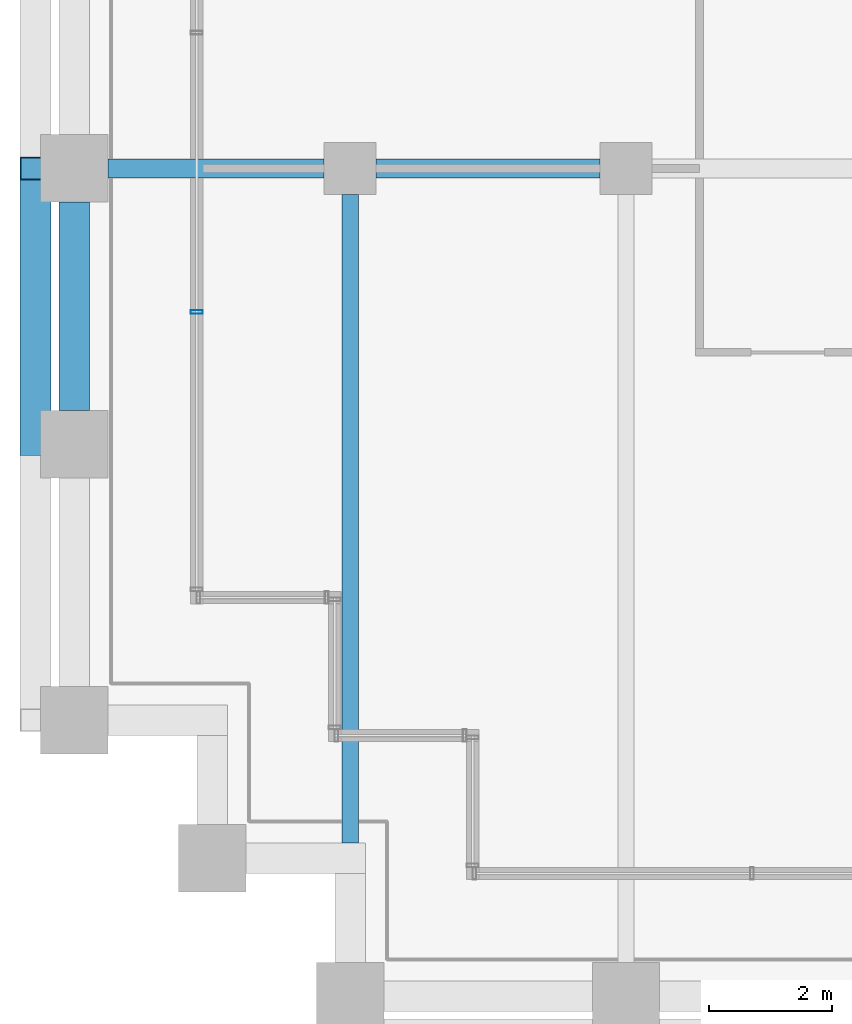
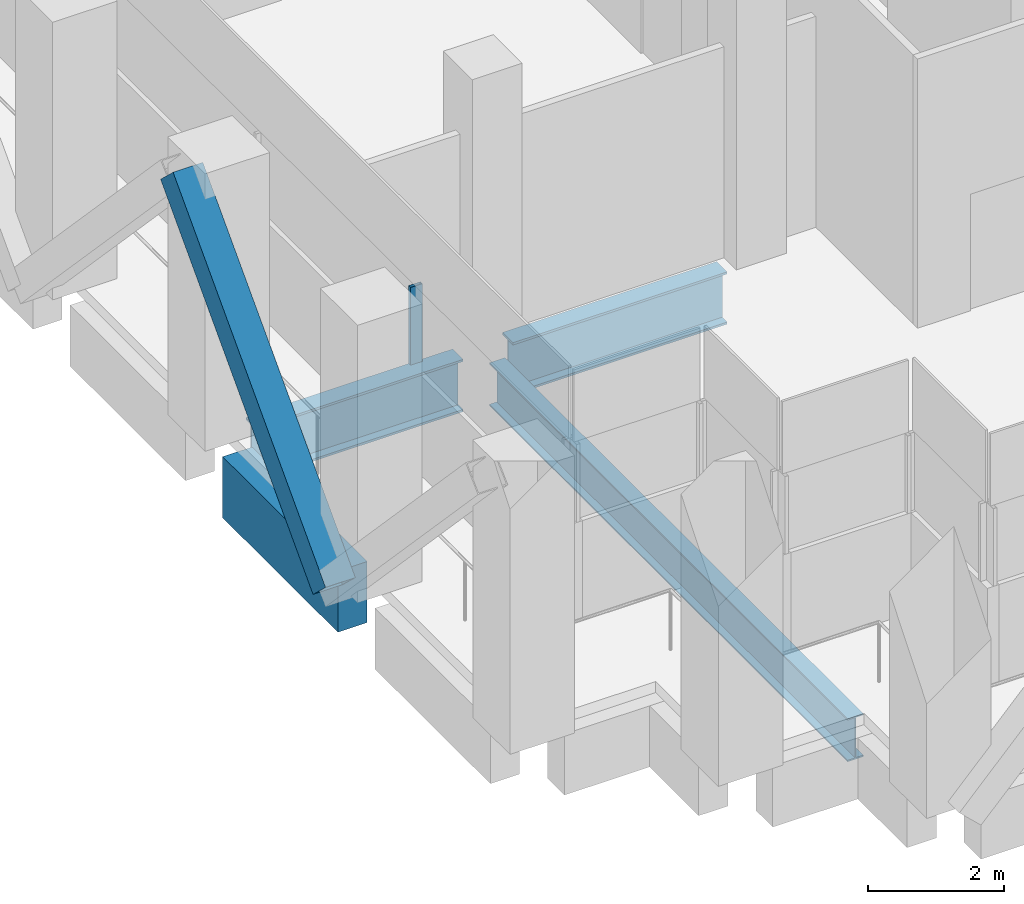
# One storey, part 4 of 44: 4 beams, 2 members, 1 element without a shape of its own.
"""IFC4 building model written with IfcOpenShell, lengths in metres."""

import ifcopenshell
import ifcopenshell.guid

model = None  # the IFC model being written
_history = None  # IfcOwnerHistory: only IFC2X3 demands one
_inside = {}  # id of a spatial element -> (the spatial element, [elements in it])
_under = {}  # id of a project, library or spatial element -> (it, [spatial elements below it])
_declared = {}  # id of a project -> (the project, [libraries it declares])
_typed = {}  # id of a type object -> (the type object, [elements of that type])
_made_of = {}  # id of a material, layer set ... -> (it, [elements and type objects made of it])


def new_model(schema):
    """Start an empty IFC model of exactly this schema.

    Asked for "IFC4X3", IfcOpenShell would pick the latest addendum, in which some entities
    have other attributes; the version numbers below select the first issue.
    IFC2X3 requires an IfcOwnerHistory on every rooted entity: one is made here for all.
    """
    global model, _history
    if schema == "IFC4X3":
        model = ifcopenshell.file(schema_version=(4, 3, 0, 0))
    else:
        model = ifcopenshell.file(schema=schema)
    _inside.clear()
    _under.clear()
    _declared.clear()
    _typed.clear()
    _made_of.clear()
    _history = None
    if model.schema == "IFC2X3":
        org = make("IfcOrganization", Name="unknown")
        user = make(
            "IfcPersonAndOrganization",
            ThePerson=make("IfcPerson", FamilyName="unknown"),
            TheOrganization=org,
        )
        app = make(
            "IfcApplication",
            ApplicationDeveloper=org,
            Version="unknown",
            ApplicationFullName="unknown",
            ApplicationIdentifier="unknown",
        )
        _history = make(
            "IfcOwnerHistory",
            OwningUser=user,
            OwningApplication=app,
            ChangeAction="ADDED",
            CreationDate=0,
        )
    return model


def make(cls, **values):
    """One entity of the class cls with the attributes given. An attribute that is None is left unset."""
    return model.create_entity(
        cls, **{name: value for name, value in values.items() if value is not None}
    )


def rooted(cls, **values):
    """An entity with a GlobalId (a new one), such as an element, a storey or a relation."""
    return make(cls, GlobalId=ifcopenshell.guid.new(), OwnerHistory=_history, **values)


def si_unit(unit_type, name, prefix=None):
    """IfcSIUnit, for example si_unit("LENGTHUNIT", "METRE", prefix="MILLI")."""
    return make("IfcSIUnit", UnitType=unit_type, Prefix=prefix, Name=name)


def assignment(units):
    """IfcUnitAssignment: the units of a project."""
    return None if units is None else make("IfcUnitAssignment", Units=units)


def point(xyz):
    """IfcCartesianPoint."""
    return None if xyz is None else make("IfcCartesianPoint", Coordinates=xyz)


def direction(xyz):
    """IfcDirection."""
    return None if xyz is None else make("IfcDirection", DirectionRatios=xyz)


def frame(location, z_axis=None, x_axis=None):
    """IfcAxis2Placement3D, a coordinate frame: its origin and axes. An axis left out is left unset."""
    return make(
        "IfcAxis2Placement3D",
        Location=point(location),
        Axis=direction(z_axis),
        RefDirection=direction(x_axis),
    )


def frame_2d(location, x_axis=None):
    """IfcAxis2Placement2D, a coordinate frame in the plane: its origin and x axis."""
    return make(
        "IfcAxis2Placement2D", Location=point(location), RefDirection=direction(x_axis)
    )


def origin():
    """The frame at (0, 0, 0) with its axes left unset."""
    return frame((0.0, 0.0, 0.0))


def origin_2d():
    """The frame at (0, 0) in the plane with its x axis left unset."""
    return frame_2d((0.0, 0.0))


def place(relative_to, where):
    """IfcLocalPlacement: puts the frame where relative to a parent placement (None: the world)."""
    return make(
        "IfcLocalPlacement", PlacementRelTo=relative_to, RelativePlacement=where
    )


def context(
    kind, dimensions, precision=None, world=None, true_north=None, identifier=None
):
    """IfcGeometricRepresentationContext, for example the 3D "Model" context."""
    return make(
        "IfcGeometricRepresentationContext",
        ContextIdentifier=identifier,
        ContextType=kind,
        CoordinateSpaceDimension=dimensions,
        Precision=precision,
        WorldCoordinateSystem=world,
        TrueNorth=true_north,
    )


def subcontext(parent, identifier, kind, view, scale=None):
    """IfcGeometricRepresentationSubContext, for example "Body" below "Model"."""
    return make(
        "IfcGeometricRepresentationSubContext",
        ContextIdentifier=identifier,
        ContextType=kind,
        ParentContext=parent,
        TargetScale=scale,
        TargetView=view,
    )


def project(units=None, contexts=None):
    """IfcProject with its units and contexts."""
    return rooted(
        "IfcProject",
        Name="project",
        RepresentationContexts=contexts,
        UnitsInContext=assignment(units),
    )


def spatial(cls, under=None, at=None, **own):
    """A site, building, storey or space (cls), placed at a placement, below another one or the project."""
    s = rooted(cls, ObjectPlacement=at, **own)
    if under is not None:
        _under.setdefault(under.id(), (under, []))[1].append(s)
    return s


def profile(cls, at=None, kind="AREA", **sizes):
    """A parametric profile (cls). Its sizes go by their IFC names, for example OverallWidth=200.0."""
    return make(cls, ProfileType=kind, Position=at, **sizes)


def rectangle(**sizes):
    """IfcRectangleProfileDef."""
    return profile("IfcRectangleProfileDef", **sizes)


def hollow_rectangle(**sizes):
    """IfcRectangleHollowProfileDef."""
    return profile("IfcRectangleHollowProfileDef", **sizes)


def i_section(**sizes):
    """IfcIShapeProfileDef."""
    return profile("IfcIShapeProfileDef", **sizes)


def extrude(swept, where, along, depth):
    """IfcExtrudedAreaSolid: the profile swept, set in the frame where, extruded along a direction by depth."""
    return make(
        "IfcExtrudedAreaSolid",
        SweptArea=swept,
        Position=where,
        ExtrudedDirection=direction(along),
        Depth=depth,
    )


def shape(context_of_items, identifier, shape_type, items):
    """IfcShapeRepresentation: the items that make up one representation, for example the "Body"."""
    return make(
        "IfcShapeRepresentation",
        ContextOfItems=context_of_items,
        RepresentationIdentifier=identifier,
        RepresentationType=shape_type,
        Items=items,
    )


def material(Name=None, Category=None):
    """IfcMaterial."""
    return make("IfcMaterial", Name=Name, Category=Category)


def material_profile(
    of_material, cross_section, Name=None, Category=None, Priority=None
):
    """IfcMaterialProfile: a cross section and its material."""
    return make(
        "IfcMaterialProfile",
        Name=Name,
        Material=of_material,
        Profile=cross_section,
        Priority=Priority,
        Category=Category,
    )


def profile_set(profiles, Name=None, composite=None):
    """IfcMaterialProfileSet."""
    return make(
        "IfcMaterialProfileSet",
        Name=Name,
        MaterialProfiles=profiles,
        CompositeProfile=composite,
    )


def made_of(thing, what):
    """Note that an element or type object is made of a material, layer set ...; save() writes the relation."""
    if what is not None:
        _made_of.setdefault(what.id(), (what, []))[1].append(thing)
    return thing


def type_object(cls, material=None, **own):
    """A type object (cls), such as IfcWallType, which elements share."""
    return made_of(rooted(cls, **own), material)


def element(
    cls,
    number,
    at=None,
    inside=None,
    cuts=None,
    type_object=None,
    material=None,
    context=None,
    identifier="Body",
    shape_type=None,
    held_by="IfcProductDefinitionShape",
    body=None,
    shapes=None,
    **own,
):
    """One element of the class cls, such as IfcWall. Its Tag is "e" and its number.

    at: its placement. inside: the storey or other place that contains it. cuts: it is an
    opening in that element (IfcRelVoidsElement). A single representation is given by context,
    identifier, shape_type and body (its items); several are given by shapes. held_by: the class
    of the entity that holds the representations. save() writes the other relations.
    """
    e = rooted(cls, Tag="e%d" % number, ObjectPlacement=at, **own)
    if body is not None:
        shapes = [shape(context, identifier, shape_type, body)]
    if shapes is not None:
        e.Representation = make(held_by, Representations=shapes)
    if inside is not None:
        _inside.setdefault(inside.id(), (inside, []))[1].append(e)
    if cuts is not None:
        rooted(
            "IfcRelVoidsElement", RelatingBuildingElement=cuts, RelatedOpeningElement=e
        )
    if type_object is not None:
        _typed.setdefault(type_object.id(), (type_object, []))[1].append(e)
    return made_of(e, material)


def aggregate(whole, parts):
    """IfcRelAggregates: a whole, such as a stair, and the parts it consists of."""
    return rooted("IfcRelAggregates", RelatingObject=whole, RelatedObjects=parts)


def save(model, path):
    """Write the relations noted so far, then the file.

    IfcRelAggregates (storeys below a building ...), IfcRelContainedInSpatialStructure (elements
    in a storey), IfcRelDefinesByType, IfcRelAssociatesMaterial and IfcRelDeclares: one each for
    every whole, place, type object, material and project.
    """
    for whole, parts in _under.values():
        aggregate(whole, parts)
    for where, things in _inside.values():
        rooted(
            "IfcRelContainedInSpatialStructure",
            RelatedElements=things,
            RelatingStructure=where,
        )
    for kind, things in _typed.values():
        rooted("IfcRelDefinesByType", RelatedObjects=things, RelatingType=kind)
    for what, things in _made_of.values():
        rooted("IfcRelAssociatesMaterial", RelatedObjects=things, RelatingMaterial=what)
    for by, libraries in _declared.values():
        rooted("IfcRelDeclares", RelatingContext=by, RelatedDefinitions=libraries)
    model.write(path)


model = new_model("IFC4")

# Units and contexts
model_context = context("Model", 3, precision=1e-05, world=origin(), true_north=direction((0.0, 1.0)))
body_context = subcontext(model_context, "Body", "Model", "MODEL_VIEW")
ifc_project = project(units=[si_unit("LENGTHUNIT", "METRE"), si_unit("AREAUNIT", "SQUARE_METRE"), si_unit("VOLUMEUNIT", "CUBIC_METRE"), si_unit("PLANEANGLEUNIT", "RADIAN"), si_unit("MASSUNIT", "GRAM", prefix="KILO")], contexts=[model_context])

# Site, building, storey
site_placement = place(None, origin())
site = spatial("IfcSite", under=ifc_project, at=site_placement, CompositionType="ELEMENT")
building_placement = place(site_placement, origin())
building = spatial("IfcBuilding", under=site, at=building_placement, Name="Altepetl Exchange Towers", CompositionType="ELEMENT")
storey_placement = place(building_placement, frame((0.0, 0.0, 87.0)))
storey = spatial("IfcBuildingStorey", under=building, at=storey_placement, Name="L21 Refuge", CompositionType="ELEMENT", Elevation=87.0)

# Member
ifc_material_1 = material(Name="Steel S355", Category="steel")
ifc_material_profile_1 = material_profile(ifc_material_1, hollow_rectangle(XDim=0.508056640625, YDim=0.508056640625, WallThickness=0.017578125, at=origin_2d()), Name="HSS508X508X19.0")
ifc_profile_set_1 = profile_set([ifc_material_profile_1], Name="Steel S355")
member_type_1 = type_object("IfcMemberType", Name="Belt diagonal HSS508X508X19.0", PredefinedType="BRACE", material=ifc_profile_set_1)
member_1_placement = place(storey_placement, frame((26.3701171875, 40.5, 4.75), z_axis=(0.0, -0.687744647911, -0.725952683906), x_axis=(1.0, 0.0, 0.0)))
element("IfcMember", 1, at=member_1_placement, inside=storey, type_object=member_type_1, Name="brc:A:L21:027", PredefinedType="BRACE", context=body_context, shape_type="SweptSolid", body=[
    extrude(hollow_rectangle(XDim=0.508056640625, YDim=0.508056640625, WallThickness=0.017578125, at=origin_2d()), origin(), (0.0, 0.0, 1.0), 6.543212890625),
])

# Beams
ifc_material_profile_2 = material_profile(ifc_material_1, i_section(OverallWidth=0.26806640625, OverallDepth=0.77392578125, WebThickness=0.015380859375, FlangeThickness=0.025390625, at=origin_2d()), Name="W30X132")
ifc_profile_set_2 = profile_set([ifc_material_profile_2], Name="Steel S355")
beam_type_1 = type_object("IfcBeamType", Name="Floor beam W30X132", PredefinedType="BEAM", material=ifc_profile_set_2)
beam_1_placement = place(storey_placement, frame((31.5, 29.5, -0.5869140625), z_axis=(0.0, 1.0, 0.0), x_axis=(-1.0, 0.0, 0.0)))
element("IfcBeam", 2, at=beam_1_placement, inside=storey, type_object=beam_type_1, Name="bm:A:L21:012", PredefinedType="BEAM", context=body_context, shape_type="SweptSolid", body=[
    extrude(i_section(OverallWidth=0.26806640625, OverallDepth=0.77392578125, WebThickness=0.015380859375, FlangeThickness=0.025390625, at=origin_2d()), origin(), (0.0, 0.0, 1.0), 10.574951171875),
])
ifc_material_profile_3 = material_profile(ifc_material_1, i_section(OverallWidth=0.30810546875, OverallDepth=0.943115234375, WebThickness=0.022216796875, FlangeThickness=0.039794921875, at=origin_2d()), Name="W36X232")
ifc_profile_set_3 = profile_set([ifc_material_profile_3], Name="Steel S355")
beam_type_2 = type_object("IfcBeamType", Name="Girder W36X232", PredefinedType="BEAM", material=ifc_profile_set_3)
beam_2_placement = place(storey_placement, frame((35.574951171875, 40.5, -0.67138671875), z_axis=(-1.0, 0.0, 0.0), x_axis=(0.0, -1.0, 0.0)))
element("IfcBeam", 3, at=beam_2_placement, inside=storey, type_object=beam_type_2, Name="gd:A:L21:010", PredefinedType="BEAM", context=body_context, shape_type="SweptSolid", body=[
    extrude(i_section(OverallWidth=0.30810546875, OverallDepth=0.943115234375, WebThickness=0.022216796875, FlangeThickness=0.039794921875, at=origin_2d()), origin(), (0.0, 0.0, 1.0), 3.64990234375),
])
beam_3_placement = place(storey_placement, frame((31.074951171875, 40.5, -0.67138671875), z_axis=(-1.0, 0.0, 0.0), x_axis=(0.0, -1.0, 0.0)))
element("IfcBeam", 4, at=beam_3_placement, inside=storey, type_object=beam_type_2, Name="gd:A:L21:011", PredefinedType="BEAM", context=body_context, shape_type="SweptSolid", body=[
    extrude(i_section(OverallWidth=0.30810546875, OverallDepth=0.943115234375, WebThickness=0.022216796875, FlangeThickness=0.039794921875, at=origin_2d()), origin(), (0.0, 0.0, 1.0), 3.52490234375),
])

# Curtain wall, member
ifc_material_2 = material(Name="Aluminium 6063-T6 glazing", Category="aluminium")
curtain_wall_type = type_object("IfcCurtainWallType", Name="Refuge slit glazing system", PredefinedType="NOTDEFINED", material=ifc_material_2)
curtain_wall_placement = place(storey_placement, origin())
curtain_wall = element("IfcCurtainWall", 5, at=curtain_wall_placement, inside=storey, type_object=curtain_wall_type, Name="CW3 run", PredefinedType="NOTDEFINED")
ifc_material_3 = material(Name="Aluminium 6063-T6", Category="aluminium")
ifc_material_profile_4 = material_profile(ifc_material_3, hollow_rectangle(XDim=0.06005859375, YDim=0.199951171875, WallThickness=0.0029296875, at=origin_2d()), Name="Mullion 60x200 aluminium")
ifc_profile_set_4 = profile_set([ifc_material_profile_4], Name="Aluminium 6063-T6")
member_type_2 = type_object("IfcMemberType", Name="Mullion 60x200 aluminium", PredefinedType="MULLION", material=ifc_profile_set_4)
member_2_placement = place(storey_placement, frame((29.0, 38.1572265625, 1.800048828125), z_axis=(0.0, 0.0, 1.0), x_axis=(0.0, -1.0, 0.0)))
member_2 = element("IfcMember", 6, at=member_2_placement, type_object=member_type_2, Name="MU2 mullion", PredefinedType="MULLION", context=body_context, shape_type="SweptSolid", body=[
    extrude(hollow_rectangle(XDim=0.06005859375, YDim=0.199951171875, WallThickness=0.0029296875, at=origin_2d()), origin(), (0.0, 0.0, 1.0), 1.39990234375),
])
aggregate(curtain_wall, [member_2])

# Beam
ifc_material_4 = material(Name="Concrete C50/60 precast with cantera blanca facing", Category="concrete")
ifc_material_profile_5 = material_profile(ifc_material_4, rectangle(XDim=0.5, YDim=1.10009765625, at=origin_2d()), Name="500 x 1100")
ifc_profile_set_5 = profile_set([ifc_material_profile_5], Name="Concrete C50/60 precast with cantera blanca facing")
beam_type_3 = type_object("IfcBeamType", Name="Spandrel beam 500x1100 cantera blanca", PredefinedType="SPANDREL", material=ifc_profile_set_5)
beam_4_placement = place(storey_placement, frame((27.0, 39.949951171875, -0.75), z_axis=(0.0, -1.0, 0.0), x_axis=(1.0, 0.0, 0.0)))
element("IfcBeam", 7, at=beam_4_placement, inside=storey, type_object=beam_type_3, Name="sp:A:L21:042", PredefinedType="SPANDREL", context=body_context, shape_type="SweptSolid", body=[
    extrude(rectangle(XDim=0.5, YDim=1.10009765625, at=origin_2d()), origin(), (0.0, 0.0, 1.0), 3.39990234375),
])

save(model, "model.ifc")
